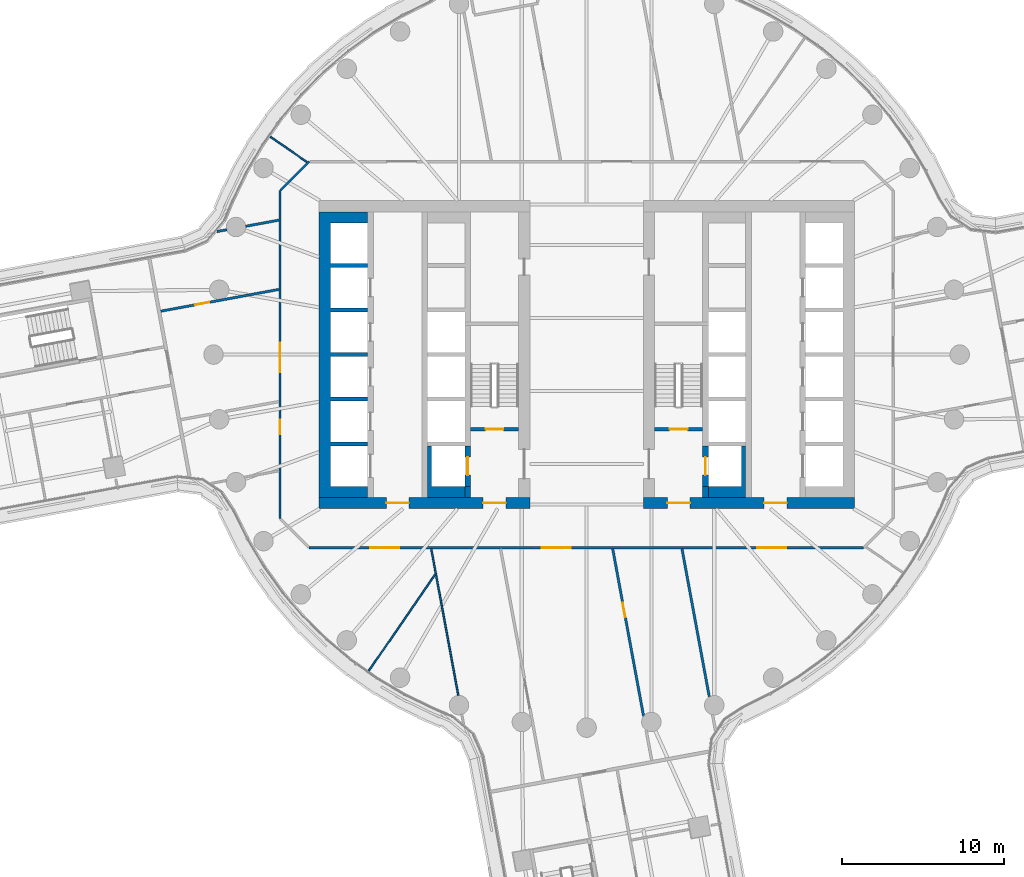
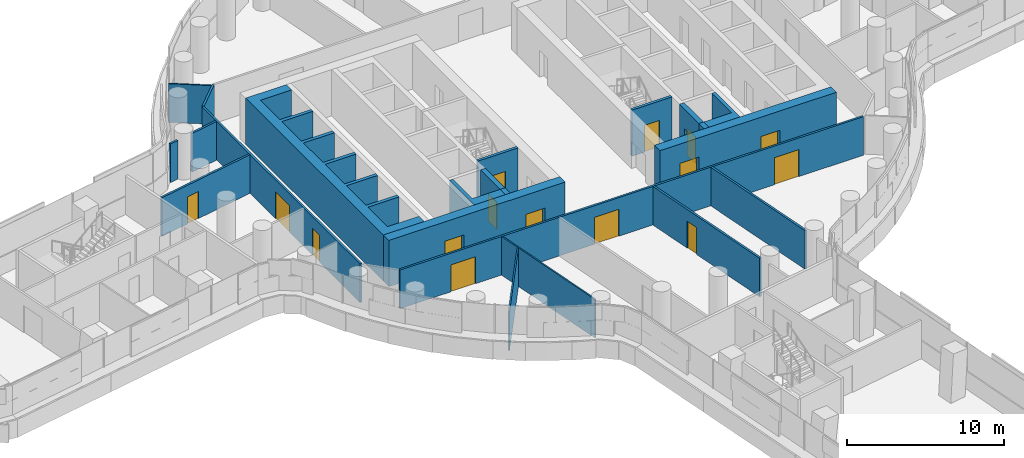
# One storey, part 21 of 33: 22 walls, 15 doors, 15 openings.
"""IFC4 building model written with IfcOpenShell, lengths in metres."""

import ifcopenshell
import ifcopenshell.guid

model = None  # the IFC model being written
_history = None  # IfcOwnerHistory: only IFC2X3 demands one
_inside = {}  # id of a spatial element -> (the spatial element, [elements in it])
_under = {}  # id of a project, library or spatial element -> (it, [spatial elements below it])
_declared = {}  # id of a project -> (the project, [libraries it declares])
_typed = {}  # id of a type object -> (the type object, [elements of that type])
_made_of = {}  # id of a material, layer set ... -> (it, [elements and type objects made of it])


def new_model(schema):
    """Start an empty IFC model of exactly this schema.

    Asked for "IFC4X3", IfcOpenShell would pick the latest addendum, in which some entities
    have other attributes; the version numbers below select the first issue.
    IFC2X3 requires an IfcOwnerHistory on every rooted entity: one is made here for all.
    """
    global model, _history
    if schema == "IFC4X3":
        model = ifcopenshell.file(schema_version=(4, 3, 0, 0))
    else:
        model = ifcopenshell.file(schema=schema)
    _inside.clear()
    _under.clear()
    _declared.clear()
    _typed.clear()
    _made_of.clear()
    _history = None
    if model.schema == "IFC2X3":
        org = make("IfcOrganization", Name="unknown")
        user = make(
            "IfcPersonAndOrganization",
            ThePerson=make("IfcPerson", FamilyName="unknown"),
            TheOrganization=org,
        )
        app = make(
            "IfcApplication",
            ApplicationDeveloper=org,
            Version="unknown",
            ApplicationFullName="unknown",
            ApplicationIdentifier="unknown",
        )
        _history = make(
            "IfcOwnerHistory",
            OwningUser=user,
            OwningApplication=app,
            ChangeAction="ADDED",
            CreationDate=0,
        )
    return model


def make(cls, **values):
    """One entity of the class cls with the attributes given. An attribute that is None is left unset."""
    return model.create_entity(
        cls, **{name: value for name, value in values.items() if value is not None}
    )


def rooted(cls, **values):
    """An entity with a GlobalId (a new one), such as an element, a storey or a relation."""
    return make(cls, GlobalId=ifcopenshell.guid.new(), OwnerHistory=_history, **values)


def si_unit(unit_type, name, prefix=None):
    """IfcSIUnit, for example si_unit("LENGTHUNIT", "METRE", prefix="MILLI")."""
    return make("IfcSIUnit", UnitType=unit_type, Prefix=prefix, Name=name)


def assignment(units):
    """IfcUnitAssignment: the units of a project."""
    return None if units is None else make("IfcUnitAssignment", Units=units)


def point(xyz):
    """IfcCartesianPoint."""
    return None if xyz is None else make("IfcCartesianPoint", Coordinates=xyz)


def direction(xyz):
    """IfcDirection."""
    return None if xyz is None else make("IfcDirection", DirectionRatios=xyz)


def frame(location, z_axis=None, x_axis=None):
    """IfcAxis2Placement3D, a coordinate frame: its origin and axes. An axis left out is left unset."""
    return make(
        "IfcAxis2Placement3D",
        Location=point(location),
        Axis=direction(z_axis),
        RefDirection=direction(x_axis),
    )


def frame_2d(location, x_axis=None):
    """IfcAxis2Placement2D, a coordinate frame in the plane: its origin and x axis."""
    return make(
        "IfcAxis2Placement2D", Location=point(location), RefDirection=direction(x_axis)
    )


def origin():
    """The frame at (0, 0, 0) with its axes left unset."""
    return frame((0.0, 0.0, 0.0))


def place(relative_to, where):
    """IfcLocalPlacement: puts the frame where relative to a parent placement (None: the world)."""
    return make(
        "IfcLocalPlacement", PlacementRelTo=relative_to, RelativePlacement=where
    )


def context(
    kind, dimensions, precision=None, world=None, true_north=None, identifier=None
):
    """IfcGeometricRepresentationContext, for example the 3D "Model" context."""
    return make(
        "IfcGeometricRepresentationContext",
        ContextIdentifier=identifier,
        ContextType=kind,
        CoordinateSpaceDimension=dimensions,
        Precision=precision,
        WorldCoordinateSystem=world,
        TrueNorth=true_north,
    )


def subcontext(parent, identifier, kind, view, scale=None):
    """IfcGeometricRepresentationSubContext, for example "Body" below "Model"."""
    return make(
        "IfcGeometricRepresentationSubContext",
        ContextIdentifier=identifier,
        ContextType=kind,
        ParentContext=parent,
        TargetScale=scale,
        TargetView=view,
    )


def project(units=None, contexts=None):
    """IfcProject with its units and contexts."""
    return rooted(
        "IfcProject",
        Name="project",
        RepresentationContexts=contexts,
        UnitsInContext=assignment(units),
    )


def spatial(cls, under=None, at=None, **own):
    """A site, building, storey or space (cls), placed at a placement, below another one or the project."""
    s = rooted(cls, ObjectPlacement=at, **own)
    if under is not None:
        _under.setdefault(under.id(), (under, []))[1].append(s)
    return s


def polyline(points):
    """IfcPolyline through the points."""
    return make("IfcPolyline", Points=[point(p) for p in points])


def profile(cls, at=None, kind="AREA", **sizes):
    """A parametric profile (cls). Its sizes go by their IFC names, for example OverallWidth=200.0."""
    return make(cls, ProfileType=kind, Position=at, **sizes)


def rectangle(**sizes):
    """IfcRectangleProfileDef."""
    return profile("IfcRectangleProfileDef", **sizes)


def outline(outer, holes=None, kind="AREA"):
    """IfcArbitraryClosedProfileDef: a profile drawn as a closed curve; with holes, ...WithVoids."""
    if holes is None:
        return make("IfcArbitraryClosedProfileDef", ProfileType=kind, OuterCurve=outer)
    return make(
        "IfcArbitraryProfileDefWithVoids",
        ProfileType=kind,
        OuterCurve=outer,
        InnerCurves=holes,
    )


def extrude(swept, where, along, depth):
    """IfcExtrudedAreaSolid: the profile swept, set in the frame where, extruded along a direction by depth."""
    return make(
        "IfcExtrudedAreaSolid",
        SweptArea=swept,
        Position=where,
        ExtrudedDirection=direction(along),
        Depth=depth,
    )


def shape(context_of_items, identifier, shape_type, items):
    """IfcShapeRepresentation: the items that make up one representation, for example the "Body"."""
    return make(
        "IfcShapeRepresentation",
        ContextOfItems=context_of_items,
        RepresentationIdentifier=identifier,
        RepresentationType=shape_type,
        Items=items,
    )


def material(Name=None, Category=None):
    """IfcMaterial."""
    return make("IfcMaterial", Name=Name, Category=Category)


def layer(
    of_material, thickness, ventilated=None, Name=None, Category=None, Priority=None
):
    """IfcMaterialLayer: one layer of a wall or slab, of a material (None: an air gap)."""
    return make(
        "IfcMaterialLayer",
        Material=of_material,
        LayerThickness=thickness,
        IsVentilated=ventilated,
        Name=Name,
        Category=Category,
        Priority=Priority,
    )


def layer_set(layers, Name=None):
    """IfcMaterialLayerSet."""
    return make("IfcMaterialLayerSet", MaterialLayers=layers, LayerSetName=Name)


def made_of(thing, what):
    """Note that an element or type object is made of a material, layer set ...; save() writes the relation."""
    if what is not None:
        _made_of.setdefault(what.id(), (what, []))[1].append(thing)
    return thing


def type_object(cls, material=None, **own):
    """A type object (cls), such as IfcWallType, which elements share."""
    return made_of(rooted(cls, **own), material)


def element(
    cls,
    number,
    at=None,
    inside=None,
    cuts=None,
    type_object=None,
    material=None,
    context=None,
    identifier="Body",
    shape_type=None,
    held_by="IfcProductDefinitionShape",
    body=None,
    shapes=None,
    **own,
):
    """One element of the class cls, such as IfcWall. Its Tag is "e" and its number.

    at: its placement. inside: the storey or other place that contains it. cuts: it is an
    opening in that element (IfcRelVoidsElement). A single representation is given by context,
    identifier, shape_type and body (its items); several are given by shapes. held_by: the class
    of the entity that holds the representations. save() writes the other relations.
    """
    e = rooted(cls, Tag="e%d" % number, ObjectPlacement=at, **own)
    if body is not None:
        shapes = [shape(context, identifier, shape_type, body)]
    if shapes is not None:
        e.Representation = make(held_by, Representations=shapes)
    if inside is not None:
        _inside.setdefault(inside.id(), (inside, []))[1].append(e)
    if cuts is not None:
        rooted(
            "IfcRelVoidsElement", RelatingBuildingElement=cuts, RelatedOpeningElement=e
        )
    if type_object is not None:
        _typed.setdefault(type_object.id(), (type_object, []))[1].append(e)
    return made_of(e, material)


def fill(opening, filler):
    """IfcRelFillsElement: the door or window that sits in an opening."""
    return rooted(
        "IfcRelFillsElement",
        RelatingOpeningElement=opening,
        RelatedBuildingElement=filler,
    )


def aggregate(whole, parts):
    """IfcRelAggregates: a whole, such as a stair, and the parts it consists of."""
    return rooted("IfcRelAggregates", RelatingObject=whole, RelatedObjects=parts)


def save(model, path):
    """Write the relations noted so far, then the file.

    IfcRelAggregates (storeys below a building ...), IfcRelContainedInSpatialStructure (elements
    in a storey), IfcRelDefinesByType, IfcRelAssociatesMaterial and IfcRelDeclares: one each for
    every whole, place, type object, material and project.
    """
    for whole, parts in _under.values():
        aggregate(whole, parts)
    for where, things in _inside.values():
        rooted(
            "IfcRelContainedInSpatialStructure",
            RelatedElements=things,
            RelatingStructure=where,
        )
    for kind, things in _typed.values():
        rooted("IfcRelDefinesByType", RelatedObjects=things, RelatingType=kind)
    for what, things in _made_of.values():
        rooted("IfcRelAssociatesMaterial", RelatedObjects=things, RelatingMaterial=what)
    for by, libraries in _declared.values():
        rooted("IfcRelDeclares", RelatingContext=by, RelatedDefinitions=libraries)
    model.write(path)


model = new_model("IFC4")

# Units and contexts
model_context = context("Model", 3, precision=1e-05, world=origin(), true_north=direction((0.0, 1.0)))
body_context = subcontext(model_context, "Body", "Model", "MODEL_VIEW")
ifc_project = project(units=[si_unit("LENGTHUNIT", "METRE"), si_unit("AREAUNIT", "SQUARE_METRE"), si_unit("VOLUMEUNIT", "CUBIC_METRE"), si_unit("PLANEANGLEUNIT", "RADIAN"), si_unit("MASSUNIT", "GRAM", prefix="KILO")], contexts=[model_context])

# Site, building, storey
site_placement = place(None, origin())
site = spatial("IfcSite", under=ifc_project, at=site_placement, CompositionType="ELEMENT")
building_placement = place(site_placement, origin())
building = spatial("IfcBuilding", under=site, at=building_placement, Name="Tamarind Cross Interchange Tower", CompositionType="ELEMENT")
storey_placement = place(building_placement, frame((0.0, 0.0, 71.5)))
storey = spatial("IfcBuildingStorey", under=building, at=storey_placement, Name="L16", CompositionType="ELEMENT", Elevation=71.5)

# Wall, openings, doors
ifc_material_1 = material(Name="Concrete C80", Category="concrete")
ifc_layer_1 = layer(ifc_material_1, 0.699951171875)
ifc_layer_set_1 = layer_set([ifc_layer_1], Name="Concrete C80")
wall_type_1 = type_object("IfcWallType", Name="Core wall 700 mm Concrete C80", PredefinedType="SHEAR", material=ifc_layer_set_1)
wall_1_placement = place(storey_placement, frame((-16.5, -9.14990234375, 0.0), z_axis=(0.0, 0.0, 1.0), x_axis=(1.0, 0.0, 0.0)))
wall_1 = element("IfcWall", 1, at=wall_1_placement, inside=storey, type_object=wall_type_1, Name="Core wall CWL-L16-W-S", PredefinedType="SHEAR", context=body_context, shape_type="SweptSolid", body=[
    extrude(rectangle(XDim=13.0, YDim=0.699951171875, at=frame_2d((6.5, 0.0))), origin(), (0.0, 0.0, 1.0), 3.610107421875),
])
opening_1_placement = place(wall_1_placement, frame((4.14990234375, 0.0, 0.0)))
opening_1 = element("IfcOpeningElement", 2, at=opening_1_placement, cuts=wall_1, Name="Opening DCW1", PredefinedType="OPENING", context=body_context, shape_type="SweptSolid", body=[
    extrude(rectangle(XDim=1.39990234375, YDim=2.10009765625, at=frame_2d((0.699951171875, 1.050048828125))), frame((0.0, 0.35986328125, 0.0), z_axis=(0.0, -1.0, 0.0), x_axis=(1.0, 0.0, 0.0)), (0.0, 0.0, 1.0), 0.719970703125),
])
opening_2_placement = place(wall_1_placement, frame((10.125, 0.0, 0.0)))
opening_2 = element("IfcOpeningElement", 3, at=opening_2_placement, cuts=wall_1, Name="Opening DCWF", PredefinedType="OPENING", context=body_context, shape_type="SweptSolid", body=[
    extrude(rectangle(XDim=1.39990234375, YDim=2.10009765625, at=frame_2d((0.699951171875, 1.050048828125))), frame((0.0, 0.35986328125, 0.0), z_axis=(0.0, -1.0, 0.0), x_axis=(1.0, 0.0, 0.0)), (0.0, 0.0, 1.0), 0.719970703125),
])
ifc_material_2 = material(Name="Steel, fire-resisting", Category="steel")
door_type_1 = type_object("IfcDoorType", Name="Core fire door 1400 x 2100 FD90", OperationType="SINGLE_SWING_LEFT", PredefinedType="DOOR", material=ifc_material_2)
door_1_placement = place(opening_1_placement, origin())
door_1 = element("IfcDoor", 4, at=door_1_placement, inside=storey, type_object=door_type_1, Name="L16 lift lobby door", OperationType="SINGLE_SWING_LEFT", OverallHeight=2.10009765625, OverallWidth=1.39990234375, PredefinedType="DOOR", context=body_context, shape_type="SweptSolid", body=[
    extrude(rectangle(XDim=1.39990234375, YDim=2.10009765625, at=frame_2d((0.699951171875, 1.050048828125))), frame((0.0, 0.02490234375, 0.0), z_axis=(0.0, -1.0, 0.0), x_axis=(1.0, 0.0, 0.0)), (0.0, 0.0, 1.0), 0.050048828125),
])
fill(opening_1, door_1)
door_2_placement = place(opening_2_placement, origin())
door_2 = element("IfcDoor", 5, at=door_2_placement, inside=storey, type_object=door_type_1, Name="L16 firefighting lobby end door", OperationType="SINGLE_SWING_LEFT", OverallHeight=2.10009765625, OverallWidth=1.39990234375, PredefinedType="DOOR", context=body_context, shape_type="SweptSolid", body=[
    extrude(rectangle(XDim=1.39990234375, YDim=2.10009765625, at=frame_2d((0.699951171875, 1.050048828125))), frame((0.0, 0.02490234375, 0.0), z_axis=(0.0, -1.0, 0.0), x_axis=(1.0, 0.0, 0.0)), (0.0, 0.0, 1.0), 0.050048828125),
])
fill(opening_2, door_2)

# Wall
wall_2_placement = place(storey_placement, origin())
element("IfcWall", 6, at=wall_2_placement, inside=storey, type_object=wall_type_1, Name="Core wall CWL-L16-W-A", PredefinedType="SHEAR", context=body_context, shape_type="SweptSolid", body=[
    extrude(outline(polyline([(-13.5, -8.800048828125), (-13.5, -8.125), (-15.800048828125, -8.125), (-15.800048828125, -5.625), (-13.5, -5.625), (-13.5, -5.375), (-15.800048828125, -5.375), (-15.800048828125, -2.875), (-13.5, -2.875), (-13.5, -2.625), (-15.800048828125, -2.625), (-15.800048828125, -0.125), (-13.5, -0.125), (-13.5, 0.125), (-15.800048828125, 0.125), (-15.800048828125, 2.625), (-13.5, 2.625), (-13.5, 2.875), (-15.800048828125, 2.875), (-15.800048828125, 5.375), (-13.5, 5.375), (-13.5, 5.625), (-15.800048828125, 5.625), (-15.800048828125, 8.125), (-13.5, 8.125), (-13.5, 8.800048828125), (-15.800048828125, 8.800048828125), (-16.5, 8.800048828125), (-16.5, -8.800048828125), (-15.800048828125, -8.800048828125), (-13.5, -8.800048828125)])), origin(), (0.0, 0.0, 1.0), 3.610107421875),
])

# Wall, openings, doors
wall_3_placement = place(storey_placement, frame((16.5, -9.14990234375, 0.0), z_axis=(0.0, 0.0, 1.0), x_axis=(-1.0, 0.0, 0.0)))
wall_3 = element("IfcWall", 7, at=wall_3_placement, inside=storey, type_object=wall_type_1, Name="Core wall CWL-L16-E-S", PredefinedType="SHEAR", context=body_context, shape_type="SweptSolid", body=[
    extrude(rectangle(XDim=13.0, YDim=0.699951171875, at=frame_2d((6.5, 0.0))), origin(), (0.0, 0.0, 1.0), 3.610107421875),
])
opening_3_placement = place(wall_3_placement, frame((4.14990234375, 0.0, 0.0)))
opening_3 = element("IfcOpeningElement", 8, at=opening_3_placement, cuts=wall_3, Name="Opening DCE1", PredefinedType="OPENING", context=body_context, shape_type="SweptSolid", body=[
    extrude(rectangle(XDim=1.39990234375, YDim=2.10009765625, at=frame_2d((0.699951171875, 1.050048828125))), frame((0.0, 0.35986328125, 0.0), z_axis=(0.0, -1.0, 0.0), x_axis=(1.0, 0.0, 0.0)), (0.0, 0.0, 1.0), 0.719970703125),
])
opening_4_placement = place(wall_3_placement, frame((10.125, 0.0, 0.0)))
opening_4 = element("IfcOpeningElement", 9, at=opening_4_placement, cuts=wall_3, Name="Opening DCEF", PredefinedType="OPENING", context=body_context, shape_type="SweptSolid", body=[
    extrude(rectangle(XDim=1.39990234375, YDim=2.10009765625, at=frame_2d((0.699951171875, 1.050048828125))), frame((0.0, 0.35986328125, 0.0), z_axis=(0.0, -1.0, 0.0), x_axis=(1.0, 0.0, 0.0)), (0.0, 0.0, 1.0), 0.719970703125),
])
door_3_placement = place(opening_3_placement, origin())
door_3 = element("IfcDoor", 10, at=door_3_placement, inside=storey, type_object=door_type_1, Name="L16 lift lobby door", OperationType="SINGLE_SWING_LEFT", OverallHeight=2.10009765625, OverallWidth=1.39990234375, PredefinedType="DOOR", context=body_context, shape_type="SweptSolid", body=[
    extrude(rectangle(XDim=1.39990234375, YDim=2.10009765625, at=frame_2d((0.699951171875, 1.050048828125))), frame((0.0, 0.02490234375, 0.0), z_axis=(0.0, -1.0, 0.0), x_axis=(1.0, 0.0, 0.0)), (0.0, 0.0, 1.0), 0.050048828125),
])
fill(opening_3, door_3)
door_4_placement = place(opening_4_placement, origin())
door_4 = element("IfcDoor", 11, at=door_4_placement, inside=storey, type_object=door_type_1, Name="L16 firefighting lobby end door", OperationType="SINGLE_SWING_LEFT", OverallHeight=2.10009765625, OverallWidth=1.39990234375, PredefinedType="DOOR", context=body_context, shape_type="SweptSolid", body=[
    extrude(rectangle(XDim=1.39990234375, YDim=2.10009765625, at=frame_2d((0.699951171875, 1.050048828125))), frame((0.0, 0.02490234375, 0.0), z_axis=(0.0, -1.0, 0.0), x_axis=(1.0, 0.0, 0.0)), (0.0, 0.0, 1.0), 0.050048828125),
])
fill(opening_4, door_4)

# Walls
ifc_layer_2 = layer(ifc_material_1, 0.35009765625)
ifc_layer_set_2 = layer_set([ifc_layer_2], Name="Concrete C80")
wall_type_2 = type_object("IfcWallType", Name="Core web wall 350 mm Concrete C80", PredefinedType="SHEAR", material=ifc_layer_set_2)
wall_4_placement = place(storey_placement, origin())
element("IfcWall", 12, at=wall_4_placement, inside=storey, type_object=wall_type_2, Name="Core wall CWL-L16-W-BS", PredefinedType="SHEAR", context=body_context, shape_type="SweptSolid", body=[
    extrude(outline(polyline([(-7.5, -8.125), (-9.550048828125, -8.125), (-9.550048828125, -5.625), (-9.800048828125, -5.625), (-9.800048828125, -8.125), (-9.800048828125, -8.800048828125), (-7.5, -8.800048828125), (-7.5, -8.125)])), origin(), (0.0, 0.0, 1.0), 3.610107421875),
])
wall_5_placement = place(storey_placement, frame((-7.324951171875, -8.800048828125, 0.0), z_axis=(0.0, 0.0, 1.0), x_axis=(0.0, 1.0, 0.0)))
element("IfcWall", 13, at=wall_5_placement, inside=storey, type_object=wall_type_2, Name="Core wall CWL-L16-W-BW", PredefinedType="SHEAR", context=body_context, shape_type="SweptSolid", body=[
    extrude(rectangle(XDim=0.675048828125, YDim=0.35009765625, at=frame_2d((0.33740234375, 0.0))), origin(), (0.0, 0.0, 1.0), 3.610107421875),
])

# Wall, opening, door
wall_6_placement = place(storey_placement, frame((-7.324951171875, -8.125, 0.0), z_axis=(0.0, 0.0, 1.0), x_axis=(0.0, 1.0, 0.0)))
wall_6 = element("IfcWall", 14, at=wall_6_placement, inside=storey, type_object=wall_type_2, Name="Core wall CWL-L16-W-FF", PredefinedType="SHEAR", context=body_context, shape_type="SweptSolid", body=[
    extrude(rectangle(XDim=2.5, YDim=0.35009765625, at=frame_2d((1.25, 0.0))), origin(), (0.0, 0.0, 1.0), 3.610107421875),
])
opening_5_placement = place(wall_6_placement, frame((0.699951171875, 0.0, 0.0)))
opening_5 = element("IfcOpeningElement", 15, at=opening_5_placement, cuts=wall_6, Name="Opening LD7L16", PredefinedType="OPENING", context=body_context, shape_type="SweptSolid", body=[
    extrude(rectangle(XDim=1.10009765625, YDim=2.10009765625, at=frame_2d((0.550048828125, 1.050048828125))), frame((0.0, 0.18505859375, 0.0), z_axis=(0.0, -1.0, 0.0), x_axis=(1.0, 0.0, 0.0)), (0.0, 0.0, 1.0), 0.3701171875),
])
ifc_material_3 = material(Name="Stainless steel panel", Category="steel")
door_type_2 = type_object("IfcDoorType", Name="Lift landing door 1100 x 2100 E 120", OperationType="SLIDING_TO_LEFT", PredefinedType="DOOR", material=ifc_material_3)
door_5_placement = place(opening_5_placement, origin())
door_5 = element("IfcDoor", 16, at=door_5_placement, inside=storey, type_object=door_type_2, Name="L16 landing door LF7", OperationType="SLIDING_TO_LEFT", OverallHeight=2.10009765625, OverallWidth=1.10009765625, PredefinedType="DOOR", context=body_context, shape_type="SweptSolid", body=[
    extrude(rectangle(XDim=1.10009765625, YDim=2.10009765625, at=frame_2d((0.550048828125, 1.050048828125))), frame((0.0, 0.02490234375, 0.0), z_axis=(0.0, -1.0, 0.0), x_axis=(1.0, 0.0, 0.0)), (0.0, 0.0, 1.0), 0.050048828125),
])
fill(opening_5, door_5)

# Walls
wall_7_placement = place(storey_placement, origin())
element("IfcWall", 17, at=wall_7_placement, inside=storey, type_object=wall_type_2, Name="Core wall CWL-L16-E-BS", PredefinedType="SHEAR", context=body_context, shape_type="SweptSolid", body=[
    extrude(outline(polyline([(7.5, -8.125), (7.5, -8.800048828125), (9.800048828125, -8.800048828125), (9.800048828125, -8.125), (9.800048828125, -5.625), (9.550048828125, -5.625), (9.550048828125, -8.125), (7.5, -8.125)])), origin(), (0.0, 0.0, 1.0), 3.610107421875),
])
wall_8_placement = place(storey_placement, frame((7.324951171875, -8.800048828125, 0.0), z_axis=(0.0, 0.0, 1.0), x_axis=(0.0, 1.0, 0.0)))
element("IfcWall", 18, at=wall_8_placement, inside=storey, type_object=wall_type_2, Name="Core wall CWL-L16-E-BW", PredefinedType="SHEAR", context=body_context, shape_type="SweptSolid", body=[
    extrude(rectangle(XDim=0.675048828125, YDim=0.35009765625, at=frame_2d((0.33740234375, 0.0))), origin(), (0.0, 0.0, 1.0), 3.610107421875),
])

# Wall, opening, door
wall_9_placement = place(storey_placement, frame((7.324951171875, -8.125, 0.0), z_axis=(0.0, 0.0, 1.0), x_axis=(0.0, 1.0, 0.0)))
wall_9 = element("IfcWall", 19, at=wall_9_placement, inside=storey, type_object=wall_type_2, Name="Core wall CWL-L16-E-FF", PredefinedType="SHEAR", context=body_context, shape_type="SweptSolid", body=[
    extrude(rectangle(XDim=2.5, YDim=0.35009765625, at=frame_2d((1.25, 0.0))), origin(), (0.0, 0.0, 1.0), 3.610107421875),
])
opening_6_placement = place(wall_9_placement, frame((0.699951171875, 0.0, 0.0)))
opening_6 = element("IfcOpeningElement", 20, at=opening_6_placement, cuts=wall_9, Name="Opening LD19L16", PredefinedType="OPENING", context=body_context, shape_type="SweptSolid", body=[
    extrude(rectangle(XDim=1.10009765625, YDim=2.10009765625, at=frame_2d((0.550048828125, 1.050048828125))), frame((0.0, 0.18505859375, 0.0), z_axis=(0.0, -1.0, 0.0), x_axis=(1.0, 0.0, 0.0)), (0.0, 0.0, 1.0), 0.3701171875),
])
door_6_placement = place(opening_6_placement, origin())
door_6 = element("IfcDoor", 21, at=door_6_placement, inside=storey, type_object=door_type_2, Name="L16 landing door LF19", OperationType="SLIDING_TO_LEFT", OverallHeight=2.10009765625, OverallWidth=1.10009765625, PredefinedType="DOOR", context=body_context, shape_type="SweptSolid", body=[
    extrude(rectangle(XDim=1.10009765625, YDim=2.10009765625, at=frame_2d((0.550048828125, 1.050048828125))), frame((0.0, 0.02490234375, 0.0), z_axis=(0.0, -1.0, 0.0), x_axis=(1.0, 0.0, 0.0)), (0.0, 0.0, 1.0), 0.050048828125),
])
fill(opening_6, door_6)

# Walls
ifc_material_4 = material(Name="Gypsum board partition on steel studs", Category="steel")
ifc_layer_3 = layer(ifc_material_4, 0.10009765625)
ifc_layer_set_3 = layer_set([ifc_layer_3], Name="Gypsum board partition on steel studs")
wall_type_3 = type_object("IfcWallType", Name="Partition 100 mm EI 90", PredefinedType="PARTITIONING", material=ifc_layer_set_3)
wall_10_placement = place(storey_placement, frame((-9.578369140625, -11.96875, 0.0), z_axis=(0.0, 0.0, 1.0), x_axis=(0.181440071674, -0.983402003451, 0.0)))
element("IfcWall", 22, at=wall_10_placement, inside=storey, type_object=wall_type_3, Name="Partition L16-008", PredefinedType="PARTITIONING", context=body_context, shape_type="SweptSolid", body=[
    extrude(rectangle(XDim=9.1982421875, YDim=0.10009765625, at=frame_2d((4.59912109375, 0.0))), origin(), (0.0, 0.0, 1.0), 3.010009765625),
])
wall_11_placement = place(storey_placement, frame((-19.5, 13.42822265625, 0.0), z_axis=(0.0, 0.0, 1.0), x_axis=(0.823550158613, -0.567243454125, 0.0)))
element("IfcWall", 23, at=wall_11_placement, inside=storey, type_object=wall_type_3, Name="Partition L16-037", PredefinedType="PARTITIONING", context=body_context, shape_type="SweptSolid", body=[
    extrude(rectangle(XDim=2.739501953125, YDim=0.10009765625, at=frame_2d((1.36962890625, 0.0))), origin(), (0.0, 0.0, 1.0), 3.010009765625),
])
wall_12_placement = place(storey_placement, frame((-13.42822265625, -19.5, 0.0), z_axis=(0.0, 0.0, 1.0), x_axis=(0.5671270475, 0.823630324839, 0.0)))
element("IfcWall", 24, at=wall_12_placement, inside=storey, type_object=wall_type_3, Name="Partition L16-074", PredefinedType="PARTITIONING", context=body_context, shape_type="SweptSolid", body=[
    extrude(rectangle(XDim=7.18603515625, YDim=0.10009765625, at=frame_2d((3.593017578125, 0.0))), origin(), (0.0, 0.0, 1.0), 3.010009765625),
])

# Wall, opening, door
ifc_layer_4 = layer(ifc_material_4, 0.14990234375)
ifc_layer_set_4 = layer_set([ifc_layer_4], Name="Gypsum board partition on steel studs")
wall_type_4 = type_object("IfcWallType", Name="Partition 150 mm EI 120", PredefinedType="PARTITIONING", material=ifc_layer_set_4)
wall_13_placement = place(storey_placement, frame((1.607666015625, -11.96875, 0.0), z_axis=(0.0, 0.0, 1.0), x_axis=(0.181361785682, -0.983416444185, 0.0)))
wall_13 = element("IfcWall", 25, at=wall_13_placement, inside=storey, type_object=wall_type_4, Name="Partition L16-020", PredefinedType="PARTITIONING", context=body_context, shape_type="SweptSolid", body=[
    extrude(rectangle(XDim=10.50390625, YDim=0.14990234375, at=frame_2d((5.251953125, 0.0))), origin(), (0.0, 0.0, 1.0), 3.010009765625),
])
opening_7_placement = place(wall_13_placement, frame((3.3798828125, 0.0, 0.0)))
opening_7 = element("IfcOpeningElement", 26, at=opening_7_placement, cuts=wall_13, Name="Opening D10", PredefinedType="OPENING", context=body_context, shape_type="SweptSolid", body=[
    extrude(rectangle(XDim=0.89990234375, YDim=2.10009765625, at=frame_2d((0.449951171875, 1.050048828125))), frame((0.0, 0.0849609375, 0.0), z_axis=(0.0, -1.0, 0.0), x_axis=(1.0, 0.0, 0.0)), (0.0, 0.0, 1.0), 0.169921875),
])
ifc_material_5 = material(Name="Fire-resisting door set")
door_type_3 = type_object("IfcDoorType", Name="Interior door 900 x 2100 FD60S", OperationType="SINGLE_SWING_LEFT", PredefinedType="DOOR", material=ifc_material_5)
door_7_placement = place(opening_7_placement, origin())
door_7 = element("IfcDoor", 27, at=door_7_placement, inside=storey, type_object=door_type_3, Name="Door D10", OperationType="SINGLE_SWING_RIGHT", OverallHeight=2.10009765625, OverallWidth=0.89990234375, PredefinedType="DOOR", context=body_context, shape_type="SweptSolid", body=[
    extrude(rectangle(XDim=0.89990234375, YDim=2.10009765625, at=frame_2d((0.449951171875, 1.050048828125))), frame((0.0, 0.02490234375, 0.0), z_axis=(0.0, -1.0, 0.0), x_axis=(1.0, 0.0, 0.0)), (0.0, 0.0, 1.0), 0.050048828125),
])
fill(opening_7, door_7)

# Wall
wall_14_placement = place(storey_placement, frame((5.878662109375, -11.96875, 0.0), z_axis=(0.0, 0.0, 1.0), x_axis=(0.181331997845, -0.983421937196, 0.0)))
element("IfcWall", 28, at=wall_14_placement, inside=storey, type_object=wall_type_4, Name="Partition L16-025", PredefinedType="PARTITIONING", context=body_context, shape_type="SweptSolid", body=[
    extrude(rectangle(XDim=9.271240234375, YDim=0.14990234375, at=frame_2d((4.6357421875, 0.0))), origin(), (0.0, 0.0, 1.0), 3.010009765625),
])

# Wall, openings, doors
wall_15_placement = place(storey_placement, frame((-17.10009765625, -11.89990234375, 0.0), z_axis=(0.0, 0.0, 1.0), x_axis=(1.0, 0.0, 0.0)))
wall_15 = element("IfcWall", 29, at=wall_15_placement, inside=storey, type_object=wall_type_4, Name="Partition L16-039", PredefinedType="PARTITIONING", context=body_context, shape_type="SweptSolid", body=[
    extrude(rectangle(XDim=34.1650390625, YDim=0.14990234375, at=frame_2d((17.08251953125, 0.0))), origin(), (0.0, 0.0, 1.0), 3.010009765625),
])
opening_8_placement = place(wall_15_placement, frame((14.330078125, 0.0, 0.0)))
opening_8 = element("IfcOpeningElement", 30, at=opening_8_placement, cuts=wall_15, Name="Opening D16", PredefinedType="OPENING", context=body_context, shape_type="SweptSolid", body=[
    extrude(rectangle(XDim=1.800048828125, YDim=2.10009765625, at=frame_2d((0.89990234375, 1.050048828125))), frame((0.0, 0.0849609375, 0.0), z_axis=(0.0, -1.0, 0.0), x_axis=(1.0, 0.0, 0.0)), (0.0, 0.0, 1.0), 0.169921875),
])
opening_9_placement = place(wall_15_placement, frame((3.75, 0.0, 0.0)))
opening_9 = element("IfcOpeningElement", 31, at=opening_9_placement, cuts=wall_15, Name="Opening D17", PredefinedType="OPENING", context=body_context, shape_type="SweptSolid", body=[
    extrude(rectangle(XDim=1.800048828125, YDim=2.10009765625, at=frame_2d((0.89990234375, 1.050048828125))), frame((0.0, 0.0849609375, 0.0), z_axis=(0.0, -1.0, 0.0), x_axis=(1.0, 0.0, 0.0)), (0.0, 0.0, 1.0), 0.169921875),
])
opening_10_placement = place(wall_15_placement, frame((27.615966796875, 0.0, 0.0)))
opening_10 = element("IfcOpeningElement", 32, at=opening_10_placement, cuts=wall_15, Name="Opening D18", PredefinedType="OPENING", context=body_context, shape_type="SweptSolid", body=[
    extrude(rectangle(XDim=1.800048828125, YDim=2.10009765625, at=frame_2d((0.89990234375, 1.050048828125))), frame((0.0, 0.0849609375, 0.0), z_axis=(0.0, -1.0, 0.0), x_axis=(1.0, 0.0, 0.0)), (0.0, 0.0, 1.0), 0.169921875),
])
door_type_4 = type_object("IfcDoorType", Name="Interior door 1800 x 2100 FD60S", OperationType="DOUBLE_DOOR_SINGLE_SWING", PredefinedType="DOOR", material=ifc_material_5)
door_8_placement = place(opening_8_placement, origin())
door_8 = element("IfcDoor", 33, at=door_8_placement, inside=storey, type_object=door_type_4, Name="Door D16", OperationType="DOUBLE_DOOR_SINGLE_SWING", OverallHeight=2.10009765625, OverallWidth=1.800048828125, PredefinedType="DOOR", context=body_context, shape_type="SweptSolid", body=[
    extrude(rectangle(XDim=1.800048828125, YDim=2.10009765625, at=frame_2d((0.89990234375, 1.050048828125))), frame((0.0, 0.02490234375, 0.0), z_axis=(0.0, -1.0, 0.0), x_axis=(1.0, 0.0, 0.0)), (0.0, 0.0, 1.0), 0.050048828125),
])
fill(opening_8, door_8)
door_9_placement = place(opening_9_placement, frame((1.800048828125, 0.0, 0.0), z_axis=(0.0, 0.0, 1.0), x_axis=(-1.0, 0.0, 0.0)))
door_9 = element("IfcDoor", 34, at=door_9_placement, inside=storey, type_object=door_type_4, Name="Door D17", OperationType="DOUBLE_DOOR_SINGLE_SWING", OverallHeight=2.10009765625, OverallWidth=1.800048828125, PredefinedType="DOOR", context=body_context, shape_type="SweptSolid", body=[
    extrude(rectangle(XDim=1.800048828125, YDim=2.10009765625, at=frame_2d((0.89990234375, 1.050048828125))), frame((0.0, 0.02490234375, 0.0), z_axis=(0.0, -1.0, 0.0), x_axis=(1.0, 0.0, 0.0)), (0.0, 0.0, 1.0), 0.050048828125),
])
fill(opening_9, door_9)
door_10_placement = place(opening_10_placement, frame((1.800048828125, 0.0, 0.0), z_axis=(0.0, 0.0, 1.0), x_axis=(-1.0, 0.0, 0.0)))
door_10 = element("IfcDoor", 35, at=door_10_placement, inside=storey, type_object=door_type_4, Name="Door D18", OperationType="DOUBLE_DOOR_SINGLE_SWING", OverallHeight=2.10009765625, OverallWidth=1.800048828125, PredefinedType="DOOR", context=body_context, shape_type="SweptSolid", body=[
    extrude(rectangle(XDim=1.800048828125, YDim=2.10009765625, at=frame_2d((0.89990234375, 1.050048828125))), frame((0.0, 0.02490234375, 0.0), z_axis=(0.0, -1.0, 0.0), x_axis=(1.0, 0.0, 0.0)), (0.0, 0.0, 1.0), 0.050048828125),
])
fill(opening_10, door_10)

# Wall, opening, door
wall_16_placement = place(storey_placement, frame((-26.250732421875, 2.674072265625, 0.0), z_axis=(0.0, 0.0, 1.0), x_axis=(0.983432312811, 0.181275718505, 0.0)))
wall_16 = element("IfcWall", 36, at=wall_16_placement, inside=storey, type_object=wall_type_4, Name="Partition L16-044", PredefinedType="PARTITIONING", context=body_context, shape_type="SweptSolid", body=[
    extrude(rectangle(XDim=7.404541015625, YDim=0.14990234375, at=frame_2d((3.7021484375, 0.0))), origin(), (0.0, 0.0, 1.0), 3.010009765625),
])
opening_11_placement = place(wall_16_placement, frame((2.14501953125, 0.0, 0.0)))
opening_11 = element("IfcOpeningElement", 37, at=opening_11_placement, cuts=wall_16, Name="Opening D26", PredefinedType="OPENING", context=body_context, shape_type="SweptSolid", body=[
    extrude(rectangle(XDim=0.89990234375, YDim=2.10009765625, at=frame_2d((0.449951171875, 1.050048828125))), frame((0.0, 0.0849609375, 0.0), z_axis=(0.0, -1.0, 0.0), x_axis=(1.0, 0.0, 0.0)), (0.0, 0.0, 1.0), 0.169921875),
])
door_11_placement = place(opening_11_placement, origin())
door_11 = element("IfcDoor", 38, at=door_11_placement, inside=storey, type_object=door_type_3, Name="Door D26", OperationType="SINGLE_SWING_RIGHT", OverallHeight=2.10009765625, OverallWidth=0.89990234375, PredefinedType="DOOR", context=body_context, shape_type="SweptSolid", body=[
    extrude(rectangle(XDim=0.89990234375, YDim=2.10009765625, at=frame_2d((0.449951171875, 1.050048828125))), frame((0.0, 0.02490234375, 0.0), z_axis=(0.0, -1.0, 0.0), x_axis=(1.0, 0.0, 0.0)), (0.0, 0.0, 1.0), 0.050048828125),
])
fill(opening_11, door_11)

# Walls
wall_17_placement = place(storey_placement, frame((-22.78662109375, 7.583251953125, 0.0), z_axis=(0.0, 0.0, 1.0), x_axis=(0.983438406802, 0.1812426551, 0.0)))
element("IfcWall", 39, at=wall_17_placement, inside=storey, type_object=wall_type_4, Name="Partition L16-049", PredefinedType="PARTITIONING", context=body_context, shape_type="SweptSolid", body=[
    extrude(rectangle(XDim=0.61962890625, YDim=0.14990234375, at=frame_2d((0.309814453125, 0.0))), origin(), (0.0, 0.0, 1.0), 3.010009765625),
])
wall_18_placement = place(storey_placement, frame((-21.0146484375, 7.909912109375, 0.0), z_axis=(0.0, 0.0, 1.0), x_axis=(0.983404735205, 0.181425264991, 0.0)))
element("IfcWall", 40, at=wall_18_placement, inside=storey, type_object=wall_type_4, Name="Partition L16-050", PredefinedType="PARTITIONING", context=body_context, shape_type="SweptSolid", body=[
    extrude(rectangle(XDim=2.080322265625, YDim=0.14990234375, at=frame_2d((1.0400390625, 0.0))), origin(), (0.0, 0.0, 1.0), 3.010009765625),
])
wall_19_placement = place(storey_placement, frame((-18.87158203125, 10.12841796875, 0.0), z_axis=(0.0, 0.0, 1.0), x_axis=(0.707106781187, 0.707106781187, 0.0)))
element("IfcWall", 41, at=wall_19_placement, inside=storey, type_object=wall_type_4, Name="Partition L16-072", PredefinedType="PARTITIONING", context=body_context, shape_type="SweptSolid", body=[
    extrude(rectangle(XDim=2.50537109375, YDim=0.14990234375, at=frame_2d((1.252685546875, 0.0))), origin(), (0.0, 0.0, 1.0), 3.010009765625),
])

# Wall, openings, doors
wall_20_placement = place(storey_placement, frame((-18.89990234375, -10.10009765625, 0.0), z_axis=(0.0, 0.0, 1.0), x_axis=(0.0, 1.0, 0.0)))
wall_20 = element("IfcWall", 42, at=wall_20_placement, inside=storey, type_object=wall_type_4, Name="Partition L16-076", PredefinedType="PARTITIONING", context=body_context, shape_type="SweptSolid", body=[
    extrude(rectangle(XDim=20.2001953125, YDim=0.14990234375, at=frame_2d((10.10009765625, 0.0))), origin(), (0.0, 0.0, 1.0), 3.010009765625),
])
opening_12_placement = place(wall_20_placement, frame((9.013916015625, 0.0, 0.0)))
opening_12 = element("IfcOpeningElement", 43, at=opening_12_placement, cuts=wall_20, Name="Opening D37", PredefinedType="OPENING", context=body_context, shape_type="SweptSolid", body=[
    extrude(rectangle(XDim=1.800048828125, YDim=2.10009765625, at=frame_2d((0.89990234375, 1.050048828125))), frame((0.0, 0.0849609375, 0.0), z_axis=(0.0, -1.0, 0.0), x_axis=(1.0, 0.0, 0.0)), (0.0, 0.0, 1.0), 0.169921875),
])
opening_13_placement = place(wall_20_placement, frame((5.194091796875, 0.0, 0.0)))
opening_13 = element("IfcOpeningElement", 44, at=opening_13_placement, cuts=wall_20, Name="Opening D38", PredefinedType="OPENING", context=body_context, shape_type="SweptSolid", body=[
    extrude(rectangle(XDim=0.89990234375, YDim=2.10009765625, at=frame_2d((0.449951171875, 1.050048828125))), frame((0.0, 0.0849609375, 0.0), z_axis=(0.0, -1.0, 0.0), x_axis=(1.0, 0.0, 0.0)), (0.0, 0.0, 1.0), 0.169921875),
])
door_12_placement = place(opening_12_placement, frame((1.800048828125, 0.0, 0.0), z_axis=(0.0, 0.0, 1.0), x_axis=(-1.0, 0.0, 0.0)))
door_12 = element("IfcDoor", 45, at=door_12_placement, inside=storey, type_object=door_type_4, Name="Door D37", OperationType="DOUBLE_DOOR_SINGLE_SWING", OverallHeight=2.10009765625, OverallWidth=1.800048828125, PredefinedType="DOOR", context=body_context, shape_type="SweptSolid", body=[
    extrude(rectangle(XDim=1.800048828125, YDim=2.10009765625, at=frame_2d((0.89990234375, 1.050048828125))), frame((0.0, 0.02490234375, 0.0), z_axis=(0.0, -1.0, 0.0), x_axis=(1.0, 0.0, 0.0)), (0.0, 0.0, 1.0), 0.050048828125),
])
fill(opening_12, door_12)
door_13_placement = place(opening_13_placement, origin())
door_13 = element("IfcDoor", 46, at=door_13_placement, inside=storey, type_object=door_type_3, Name="Door D38", OperationType="SINGLE_SWING_RIGHT", OverallHeight=2.10009765625, OverallWidth=0.89990234375, PredefinedType="DOOR", context=body_context, shape_type="SweptSolid", body=[
    extrude(rectangle(XDim=0.89990234375, YDim=2.10009765625, at=frame_2d((0.449951171875, 1.050048828125))), frame((0.0, 0.02490234375, 0.0), z_axis=(0.0, -1.0, 0.0), x_axis=(1.0, 0.0, 0.0)), (0.0, 0.0, 1.0), 0.050048828125),
])
fill(opening_13, door_13)

# Wall, opening, door
ifc_material_6 = material(Name="Concrete C40", Category="concrete")
ifc_layer_5 = layer(ifc_material_6, 0.199951171875)
ifc_layer_set_5 = layer_set([ifc_layer_5], Name="Concrete C40")
wall_type_5 = type_object("IfcWallType", Name="Stair shaft wall 200 mm Concrete C40", PredefinedType="SHEAR", material=ifc_layer_set_5)
wall_21_placement = place(storey_placement, frame((-7.14990234375, -4.60009765625, 0.0), z_axis=(0.0, 0.0, 1.0), x_axis=(1.0, 0.0, 0.0)))
wall_21 = element("IfcWall", 47, at=wall_21_placement, inside=storey, type_object=wall_type_5, Name="Core wall CWL-L16-W-SD", PredefinedType="SHEAR", context=body_context, shape_type="SweptSolid", body=[
    extrude(rectangle(XDim=2.949951171875, YDim=0.199951171875, at=frame_2d((1.47509765625, 0.0))), origin(), (0.0, 0.0, 1.0), 3.610107421875),
])
opening_14_placement = place(wall_21_placement, frame((0.925048828125, 0.0, 0.0)))
opening_14 = element("IfcOpeningElement", 48, at=opening_14_placement, cuts=wall_21, Name="Opening DCW6", PredefinedType="OPENING", context=body_context, shape_type="SweptSolid", body=[
    extrude(rectangle(XDim=1.10009765625, YDim=2.10009765625, at=frame_2d((0.550048828125, 1.050048828125))), frame((0.0, 0.10986328125, 0.0), z_axis=(0.0, -1.0, 0.0), x_axis=(1.0, 0.0, 0.0)), (0.0, 0.0, 1.0), 0.219970703125),
])
door_type_5 = type_object("IfcDoorType", Name="Core fire door 1100 x 2100 FD90", OperationType="SINGLE_SWING_LEFT", PredefinedType="DOOR", material=ifc_material_2)
door_14_placement = place(opening_14_placement, origin())
door_14 = element("IfcDoor", 49, at=door_14_placement, inside=storey, type_object=door_type_5, Name="L16 stair door", OperationType="SINGLE_SWING_LEFT", OverallHeight=2.10009765625, OverallWidth=1.10009765625, PredefinedType="DOOR", context=body_context, shape_type="SweptSolid", body=[
    extrude(rectangle(XDim=1.10009765625, YDim=2.10009765625, at=frame_2d((0.550048828125, 1.050048828125))), frame((0.0, 0.02490234375, 0.0), z_axis=(0.0, -1.0, 0.0), x_axis=(1.0, 0.0, 0.0)), (0.0, 0.0, 1.0), 0.050048828125),
])
fill(opening_14, door_14)

wall_22_placement = place(storey_placement, frame((7.14990234375, -4.60009765625, 0.0), z_axis=(0.0, 0.0, 1.0), x_axis=(-1.0, 0.0, 0.0)))
wall_22 = element("IfcWall", 50, at=wall_22_placement, inside=storey, type_object=wall_type_5, Name="Core wall CWL-L16-E-SD", PredefinedType="SHEAR", context=body_context, shape_type="SweptSolid", body=[
    extrude(rectangle(XDim=2.949951171875, YDim=0.199951171875, at=frame_2d((1.47509765625, 0.0))), origin(), (0.0, 0.0, 1.0), 3.610107421875),
])
opening_15_placement = place(wall_22_placement, frame((0.925048828125, 0.0, 0.0)))
opening_15 = element("IfcOpeningElement", 51, at=opening_15_placement, cuts=wall_22, Name="Opening DCE6", PredefinedType="OPENING", context=body_context, shape_type="SweptSolid", body=[
    extrude(rectangle(XDim=1.10009765625, YDim=2.10009765625, at=frame_2d((0.550048828125, 1.050048828125))), frame((0.0, 0.10986328125, 0.0), z_axis=(0.0, -1.0, 0.0), x_axis=(1.0, 0.0, 0.0)), (0.0, 0.0, 1.0), 0.219970703125),
])
door_15_placement = place(opening_15_placement, origin())
door_15 = element("IfcDoor", 52, at=door_15_placement, inside=storey, type_object=door_type_5, Name="L16 stair door", OperationType="SINGLE_SWING_LEFT", OverallHeight=2.10009765625, OverallWidth=1.10009765625, PredefinedType="DOOR", context=body_context, shape_type="SweptSolid", body=[
    extrude(rectangle(XDim=1.10009765625, YDim=2.10009765625, at=frame_2d((0.550048828125, 1.050048828125))), frame((0.0, 0.02490234375, 0.0), z_axis=(0.0, -1.0, 0.0), x_axis=(1.0, 0.0, 0.0)), (0.0, 0.0, 1.0), 0.050048828125),
])
fill(opening_15, door_15)

save(model, "model.ifc")
